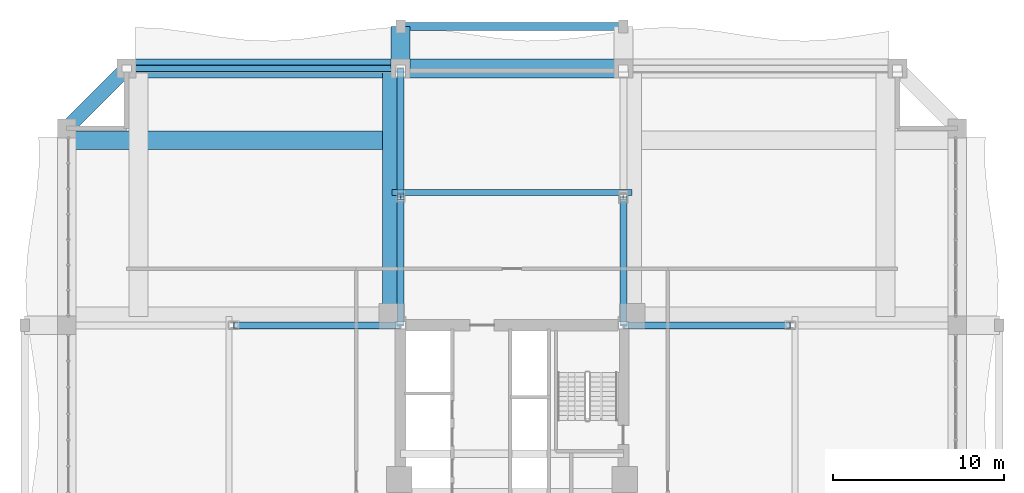
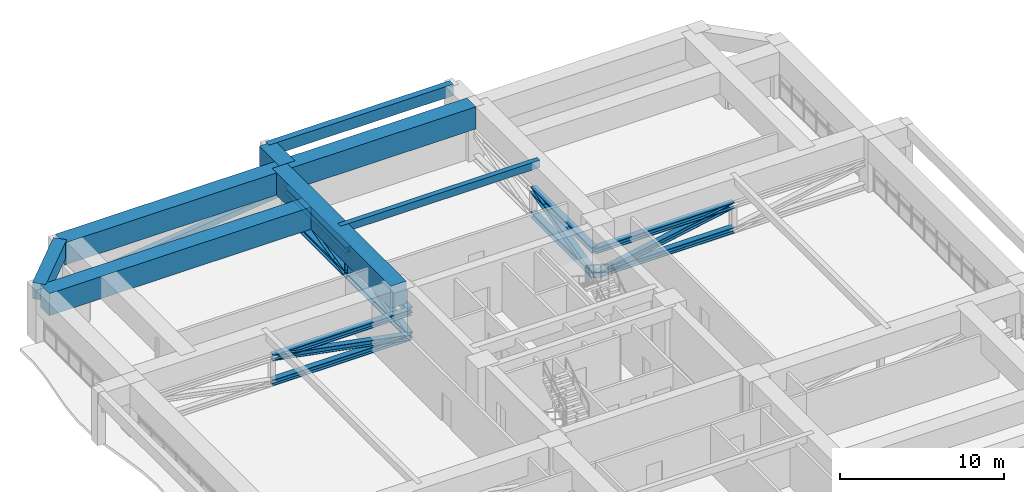
# One storey, part 22 of 35: 18 members, 8 beams.
"""IFC4 building model written with IfcOpenShell, lengths in metres."""

from ifc_helpers import new_model, si_unit, direction, frame, origin, origin_2d, place, context, subcontext, project, spatial, rectangle, hollow_rectangle, i_section, extrude, source, transform, mapped, material, material_profile, profile_set, type_object, element, save


model = new_model("IFC4")

# Units and contexts
model_context = context("Model", 3, precision=1e-05, world=origin(), true_north=direction((0.0, 1.0)))
body_context = subcontext(model_context, "Body", "Model", "MODEL_VIEW")
ifc_project = project(units=[si_unit("LENGTHUNIT", "METRE"), si_unit("AREAUNIT", "SQUARE_METRE"), si_unit("VOLUMEUNIT", "CUBIC_METRE"), si_unit("PLANEANGLEUNIT", "RADIAN"), si_unit("MASSUNIT", "GRAM", prefix="KILO")], contexts=[model_context])

# Site, building, storey
site_placement = place(None, origin())
site = spatial("IfcSite", under=ifc_project, at=site_placement, CompositionType="ELEMENT")
building_placement = place(site_placement, origin())
building = spatial("IfcBuilding", under=site, at=building_placement, Name="Saelheon Loggia Tower", CompositionType="ELEMENT")
storey_placement = place(building_placement, frame((0.0, 0.0, 70.39990234375)))
storey = spatial("IfcBuildingStorey", under=building, at=storey_placement, Name="L22", CompositionType="ELEMENT", Elevation=70.39990234375)

# Beams
ifc_material_1 = material(Name="Precast Concrete C45/55", Category="concrete")
ifc_material_profile_1 = material_profile(ifc_material_1, rectangle(XDim=0.449951171875, YDim=0.85009765625, at=origin_2d()), Name="RC-450x850")
ifc_profile_set_1 = profile_set([ifc_material_profile_1], Name="Precast Concrete C45/55")
beam_type_1 = type_object("IfcBeamType", Name="Beam_LoggiaSpandrel_RC450x850", PredefinedType="SPANDREL", material=ifc_profile_set_1)
shared_shape_1 = source(origin(), body_context, "Body", "SweptSolid", [
    extrude(rectangle(XDim=0.449951171875, YDim=0.85009765625, at=origin_2d()), origin(), (0.0, 0.0, 1.0), 13.0),
])
beam_1_placement = place(storey_placement, frame((31.5, 53.449951171875, 3.525146484375), z_axis=(1.0, 0.0, 0.0), x_axis=(0.0, 1.0, 0.0)))
element("IfcBeam", 1, at=beam_1_placement, inside=storey, type_object=beam_type_1, Name="L22 Loggia Spandrel Beam N", PredefinedType="SPANDREL", context=body_context, shape_type="MappedRepresentation", body=[
    mapped(shared_shape_1, transform((0.0, 0.0, 0.0), scale=1.0)),
])
ifc_material_2 = material(Name="Concrete C50/60", Category="concrete")
ifc_material_profile_2 = material_profile(ifc_material_2, rectangle(XDim=1.10009765625, YDim=1.449951171875, at=origin_2d()), Name="RC-1100x1450")
ifc_profile_set_2 = profile_set([ifc_material_profile_2], Name="Concrete C50/60")
beam_type_2 = type_object("IfcBeamType", Name="Beam_PerimTransfer_RC1100x1450", PredefinedType="BEAM", material=ifc_profile_set_2)
shared_shape_2 = source(origin(), body_context, "Body", "SweptSolid", [
    extrude(rectangle(XDim=1.10009765625, YDim=1.449951171875, at=origin_2d()), origin(), (0.0, 0.0, 1.0), 2.449951171875),
])
beam_2_placement = place(storey_placement, frame((31.5, 51.0, 3.22509765625), z_axis=(0.0, 1.0, 0.0), x_axis=(-1.0, 0.0, 0.0)))
element("IfcBeam", 2, at=beam_2_placement, inside=storey, type_object=beam_type_2, Name="L22 Loggia Frame Tie Beam LP-N1", PredefinedType="BEAM", context=body_context, shape_type="MappedRepresentation", body=[
    mapped(shared_shape_2, transform((0.0, 0.0, 0.0), scale=1.0)),
])
ifc_material_3 = material(Name="Concrete C40/50", Category="concrete")
ifc_material_profile_3 = material_profile(ifc_material_3, rectangle(XDim=0.35009765625, YDim=0.550048828125, at=origin_2d()), Name="RC-350x550")
ifc_profile_set_3 = profile_set([ifc_material_profile_3], Name="Concrete C40/50")
beam_type_3 = type_object("IfcBeamType", Name="Beam_Joist_RC350x550", PredefinedType="JOIST", material=ifc_profile_set_3)
shared_shape_3 = source(origin(), body_context, "Body", "SweptSolid", [
    extrude(rectangle(XDim=0.35009765625, YDim=0.550048828125, at=origin_2d()), origin(), (0.0, 0.0, 1.0), 14.0400390625),
])
beam_3_placement = place(storey_placement, frame((30.97998046875, 43.760009765625, 3.675048828125), z_axis=(1.0, 0.0, 0.0), x_axis=(0.0, 1.0, 0.0)))
element("IfcBeam", 3, at=beam_3_placement, inside=storey, type_object=beam_type_3, Name="L22 North Floor Joist", PredefinedType="JOIST", context=body_context, shape_type="MappedRepresentation", body=[
    mapped(shared_shape_3, transform((0.0, 0.0, 0.0), scale=1.0)),
])
ifc_material_profile_4 = material_profile(ifc_material_2, rectangle(XDim=1.10009765625, YDim=1.64990234375, at=origin_2d()), Name="RC-1100x1650")
ifc_profile_set_4 = profile_set([ifc_material_profile_4], Name="Concrete C50/60")
beam_type_4 = type_object("IfcBeamType", Name="Beam_PerimMega_RC1100x1650", PredefinedType="BEAM", material=ifc_profile_set_4)
shared_shape_4 = source(origin(), body_context, "Body", "SweptSolid", [
    extrude(rectangle(XDim=1.10009765625, YDim=1.64990234375, at=origin_2d()), origin(), (0.0, 0.0, 1.0), 16.0),
])
beam_4_placement = place(storey_placement, frame((31.5, 51.0, 3.125), z_axis=(-1.0, 0.0, 0.0), x_axis=(0.0, -1.0, 0.0)))
element("IfcBeam", 4, at=beam_4_placement, inside=storey, type_object=beam_type_4, Name="L22 Perimeter Frame Girder 11", PredefinedType="BEAM", context=body_context, shape_type="MappedRepresentation", body=[
    mapped(shared_shape_4, transform((0.0, 0.0, 0.0), scale=1.0)),
])
shared_shape_5 = source(origin(), body_context, "Body", "SweptSolid", [
    extrude(rectangle(XDim=1.10009765625, YDim=1.64990234375, at=origin_2d()), origin(), (0.0, 0.0, 1.0), 13.0),
])
beam_5_placement = place(storey_placement, frame((44.5, 51.0, 3.125), z_axis=(-1.0, 0.0, 0.0), x_axis=(0.0, -1.0, 0.0)))
element("IfcBeam", 5, at=beam_5_placement, inside=storey, type_object=beam_type_4, Name="L22 Perimeter Frame Girder 10", PredefinedType="BEAM", context=body_context, shape_type="MappedRepresentation", body=[
    mapped(shared_shape_5, transform((0.0, 0.0, 0.0), scale=1.0)),
])
ifc_material_profile_5 = material_profile(ifc_material_2, rectangle(XDim=0.85009765625, YDim=1.199951171875, at=origin_2d()), Name="RC-850x1200")
ifc_profile_set_5 = profile_set([ifc_material_profile_5], Name="Concrete C50/60")
beam_type_5 = type_object("IfcBeamType", Name="Beam_CornerShoulder_RC850x1200", PredefinedType="BEAM", material=ifc_profile_set_5)
shared_shape_6 = source(origin(), body_context, "Body", "SweptSolid", [
    extrude(rectangle(XDim=0.85009765625, YDim=1.199951171875, at=origin_2d()), origin(), (0.0, 0.0, 1.0), 4.94970703125),
])
beam_6_placement = place(storey_placement, frame((15.5, 51.0, 3.35009765625), z_axis=(-0.707106781187, -0.707106781187, 0.0), x_axis=(0.707106781187, -0.707106781187, 0.0)))
element("IfcBeam", 6, at=beam_6_placement, inside=storey, type_object=beam_type_5, Name="L22 Corner Shoulder Beam 12", PredefinedType="BEAM", context=body_context, shape_type="MappedRepresentation", body=[
    mapped(shared_shape_6, transform((0.0, 0.0, 0.0), scale=1.0)),
])
ifc_material_profile_6 = material_profile(ifc_material_2, rectangle(XDim=1.10009765625, YDim=1.64990234375, at=origin_2d()), Name="RC-1100x1650")
ifc_profile_set_6 = profile_set([ifc_material_profile_6], Name="Concrete C50/60")
beam_type_6 = type_object("IfcBeamType", Name="Beam_MegaTransfer_RC1100x1650", PredefinedType="BEAM", material=ifc_profile_set_6)
shared_shape_7 = source(origin(), body_context, "Body", "SweptSolid", [
    extrude(rectangle(XDim=1.10009765625, YDim=1.64990234375, at=origin_2d()), origin(), (0.0, 0.0, 1.0), 14.47998046875),
])
beam_7_placement = place(storey_placement, frame((30.97998046875, 36.52001953125, 3.125), z_axis=(0.0, 1.0, 0.0), x_axis=(-1.0, 0.0, 0.0)))
element("IfcBeam", 7, at=beam_7_placement, inside=storey, type_object=beam_type_6, Name="L22 Radial Floor Girder RAD-NW-N", PredefinedType="BEAM", context=body_context, shape_type="MappedRepresentation", body=[
    mapped(shared_shape_7, transform((0.0, 0.0, 0.0), scale=1.0)),
])
shared_shape_8 = source(origin(), body_context, "Body", "SweptSolid", [
    extrude(rectangle(XDim=1.10009765625, YDim=1.64990234375, at=origin_2d()), origin(), (0.0, 0.0, 1.0), 19.5),
])
beam_8_placement = place(storey_placement, frame((12.0, 46.800048828125, 3.125), z_axis=(1.0, 0.0, 0.0), x_axis=(0.0, 1.0, 0.0)))
element("IfcBeam", 8, at=beam_8_placement, inside=storey, type_object=beam_type_6, Name="TG-L22-SH-NW", PredefinedType="BEAM", context=body_context, shape_type="MappedRepresentation", body=[
    mapped(shared_shape_8, transform((0.0, 0.0, 0.0), scale=1.0)),
])

# Members
ifc_material_4 = material(Name="Steel SM355", Category="steel")
ifc_material_profile_7 = material_profile(ifc_material_4, i_section(OverallWidth=0.406982421875, OverallDepth=0.427978515625, WebThickness=0.02001953125, FlangeThickness=0.034912109375, at=origin_2d()), Name="H-428x407x20x35")
ifc_profile_set_7 = profile_set([ifc_material_profile_7], Name="Steel SM355")
member_type_1 = type_object("IfcMemberType", Name="Outrigger_Chord_H428", PredefinedType="CHORD", material=ifc_profile_set_7)
shared_shape_9 = source(origin(), body_context, "Body", "SweptSolid", [
    extrude(i_section(OverallWidth=0.406982421875, OverallDepth=0.427978515625, WebThickness=0.02001953125, FlangeThickness=0.034912109375, at=origin_2d()), origin(), (0.0, 0.0, 1.0), 7.5),
])
for number, where, z_axis, x_axis, name in (
    (9, (31.5, 36.0, 0.22021484375), (0.0, 1.0, 0.0), (-1.0, 0.0, 0.0), "L22 Outrigger Bottom Chord NW-N 1"),
    (10, (31.5, 43.5, 0.22021484375), (0.0, 1.0, 0.0), (-1.0, 0.0, 0.0), "L22 Outrigger Bottom Chord NW-N 2"),
    (11, (31.5, 36.0, 2.070068359375), (0.0, 1.0, 0.0), (-1.0, 0.0, 0.0), "L22 Outrigger Top Chord NW-N 1"),
    (12, (31.5, 43.5, 2.070068359375), (0.0, 1.0, 0.0), (-1.0, 0.0, 0.0), "L22 Outrigger Top Chord NW-N 2"),
    (13, (44.5, 36.0, 0.22021484375), (0.0, 1.0, 0.0), (-1.0, 0.0, 0.0), "L22 Outrigger Bottom Chord NE-N 1"),
    (14, (44.5, 36.0, 2.070068359375), (0.0, 1.0, 0.0), (-1.0, 0.0, 0.0), "L22 Outrigger Top Chord NE-N 1"),
):
    element("IfcMember", number, at=place(storey_placement, frame(where, z_axis=z_axis, x_axis=x_axis)), inside=storey, type_object=member_type_1, Name=name, PredefinedType="CHORD", context=body_context, shape_type="MappedRepresentation", body=[
        mapped(shared_shape_9, transform((0.0, 0.0, 0.0), scale=1.0)),
    ])
ifc_material_profile_8 = material_profile(ifc_material_4, i_section(OverallWidth=0.35009765625, OverallDepth=0.35009765625, WebThickness=0.011962890625, FlangeThickness=0.01904296875, at=origin_2d()), Name="H-350x350x12x19")
ifc_profile_set_8 = profile_set([ifc_material_profile_8], Name="Steel SM355")
member_type_2 = type_object("IfcMemberType", Name="Outrigger_Post_H350", PredefinedType="POST", material=ifc_profile_set_8)
shared_shape_10 = source(origin(), body_context, "Body", "SweptSolid", [
    extrude(i_section(OverallWidth=0.35009765625, OverallDepth=0.35009765625, WebThickness=0.011962890625, FlangeThickness=0.01904296875, at=origin_2d()), origin(), (0.0, 0.0, 1.0), 1.849853515625),
])
member_1_placement = place(storey_placement, frame((31.5, 43.5, 0.22021484375), z_axis=(0.0, 0.0, 1.0), x_axis=(1.0, 0.0, 0.0)))
element("IfcMember", 15, at=member_1_placement, inside=storey, type_object=member_type_2, Name="L22 Outrigger Web Post NW-N", PredefinedType="POST", context=body_context, shape_type="MappedRepresentation", body=[
    mapped(shared_shape_10, transform((0.0, 0.0, 0.0), scale=1.0)),
])
ifc_material_profile_9 = material_profile(ifc_material_4, i_section(OverallWidth=0.39990234375, OverallDepth=0.39990234375, WebThickness=0.012939453125, FlangeThickness=0.02099609375, at=origin_2d()), Name="H-400x400x13x21")
ifc_profile_set_9 = profile_set([ifc_material_profile_9], Name="Steel SM355")
member_type_3 = type_object("IfcMemberType", Name="Outrigger_Brace_H400", PredefinedType="BRACE", material=ifc_profile_set_9)
shared_shape_11 = source(origin(), body_context, "Body", "SweptSolid", [
    extrude(i_section(OverallWidth=0.39990234375, OverallDepth=0.39990234375, WebThickness=0.012939453125, FlangeThickness=0.02099609375, at=origin_2d()), origin(), (0.0, 0.0, 1.0), 7.724853515625),
])
for number, where, z_axis, x_axis, name in (
    (16, (31.5, 36.0, 0.22021484375), (0.0, 0.970903617095, 0.239470595922), (-1.0, 0.0, 0.0), "L22 Outrigger Diagonal NW-N 1"),
    (17, (31.5, 43.5, 0.22021484375), (0.0, 0.970903617095, 0.239470595922), (-1.0, 0.0, 0.0), "L22 Outrigger Diagonal NW-N 2"),
    (18, (44.5, 36.0, 0.22021484375), (0.0, 0.970903617095, 0.239470595922), (-1.0, 0.0, 0.0), "L22 Outrigger Diagonal NE-N 1"),
):
    element("IfcMember", number, at=place(storey_placement, frame(where, z_axis=z_axis, x_axis=x_axis)), inside=storey, type_object=member_type_3, Name=name, PredefinedType="BRACE", context=body_context, shape_type="MappedRepresentation", body=[
        mapped(shared_shape_11, transform((0.0, 0.0, 0.0), scale=1.0)),
    ])
shared_shape_12 = source(origin(), body_context, "Body", "SweptSolid", [
    extrude(i_section(OverallWidth=0.406982421875, OverallDepth=0.427978515625, WebThickness=0.02001953125, FlangeThickness=0.034912109375, at=origin_2d()), origin(), (0.0, 0.0, 1.0), 9.75),
])
for number, where, z_axis, x_axis, name in (
    (19, (31.5, 36.0, 0.22021484375), (-1.0, 0.0, 0.0), (0.0, -1.0, 0.0), "L22 Outrigger Bottom Chord NW-W 1"),
    (20, (31.5, 36.0, 2.070068359375), (-1.0, 0.0, 0.0), (0.0, -1.0, 0.0), "L22 Outrigger Top Chord NW-W 1"),
    (21, (44.5, 36.0, 0.22021484375), (1.0, 0.0, 0.0), (0.0, 1.0, 0.0), "L22 Outrigger Bottom Chord NE-E 1"),
    (22, (44.5, 36.0, 2.070068359375), (1.0, 0.0, 0.0), (0.0, 1.0, 0.0), "L22 Outrigger Top Chord NE-E 1"),
):
    element("IfcMember", number, at=place(storey_placement, frame(where, z_axis=z_axis, x_axis=x_axis)), inside=storey, type_object=member_type_1, Name=name, PredefinedType="CHORD", context=body_context, shape_type="MappedRepresentation", body=[
        mapped(shared_shape_12, transform((0.0, 0.0, 0.0), scale=1.0)),
    ])
shared_shape_13 = source(origin(), body_context, "Body", "SweptSolid", [
    extrude(i_section(OverallWidth=0.39990234375, OverallDepth=0.39990234375, WebThickness=0.012939453125, FlangeThickness=0.02099609375, at=origin_2d()), origin(), (0.0, 0.0, 1.0), 9.923828125),
])
for number, where, z_axis, x_axis, name in (
    (23, (31.5, 36.0, 0.22021484375), (-0.9824733212, 0.0, 0.186403254075), (0.0, -1.0, 0.0), "L22 Outrigger Diagonal NW-W 1"),
    (24, (44.5, 36.0, 0.22021484375), (0.9824733212, 0.0, 0.186403254075), (0.0, 1.0, 0.0), "L22 Outrigger Diagonal NE-E 1"),
):
    element("IfcMember", number, at=place(storey_placement, frame(where, z_axis=z_axis, x_axis=x_axis)), inside=storey, type_object=member_type_3, Name=name, PredefinedType="BRACE", context=body_context, shape_type="MappedRepresentation", body=[
        mapped(shared_shape_13, transform((0.0, 0.0, 0.0), scale=1.0)),
    ])
ifc_material_profile_10 = material_profile(ifc_material_4, hollow_rectangle(XDim=0.35009765625, YDim=0.5, WallThickness=0.02197265625, at=origin_2d()), Name="RHS-500x350x22")
ifc_profile_set_10 = profile_set([ifc_material_profile_10], Name="Steel SM355")
member_type_4 = type_object("IfcMemberType", Name="Belt_Chord_RHS500", PredefinedType="CHORD", material=ifc_profile_set_10)
shared_shape_14 = source(origin(), body_context, "Body", "SweptSolid", [
    extrude(hollow_rectangle(XDim=0.35009765625, YDim=0.5, WallThickness=0.02197265625, at=origin_2d()), origin(), (0.0, 0.0, 1.0), 16.0),
])
member_2_placement = place(storey_placement, frame((15.5, 51.0, 0.6201171875), z_axis=(1.0, 0.0, 0.0), x_axis=(0.0, 1.0, 0.0)))
element("IfcMember", 25, at=member_2_placement, inside=storey, type_object=member_type_4, Name="L22 Belt Truss Chord BN1", PredefinedType="CHORD", context=body_context, shape_type="MappedRepresentation", body=[
    mapped(shared_shape_14, transform((0.0, 0.0, 0.0), scale=1.0)),
])
ifc_material_profile_11 = material_profile(ifc_material_4, hollow_rectangle(XDim=0.39990234375, YDim=0.39990234375, WallThickness=0.02001953125, at=origin_2d()), Name="RHS-400x400x20")
ifc_profile_set_11 = profile_set([ifc_material_profile_11], Name="Steel SM355")
member_type_5 = type_object("IfcMemberType", Name="Belt_Brace_RHS400", PredefinedType="BRACE", material=ifc_profile_set_11)
shared_shape_15 = source(origin(), body_context, "Body", "SweptSolid", [
    extrude(hollow_rectangle(XDim=0.39990234375, YDim=0.39990234375, WallThickness=0.02001953125, at=origin_2d()), origin(), (0.0, 0.0, 1.0), 16.106689453125),
])
member_3_placement = place(storey_placement, frame((15.5, 51.0, 0.22021484375), z_axis=(0.993382754474, 0.0, 0.114850786295), x_axis=(0.0, 1.0, 0.0)))
element("IfcMember", 26, at=member_3_placement, inside=storey, type_object=member_type_5, Name="L22 Belt Truss Brace BN1", PredefinedType="BRACE", context=body_context, shape_type="MappedRepresentation", body=[
    mapped(shared_shape_15, transform((0.0, 0.0, 0.0), scale=1.0)),
])

save(model, "model.ifc")
